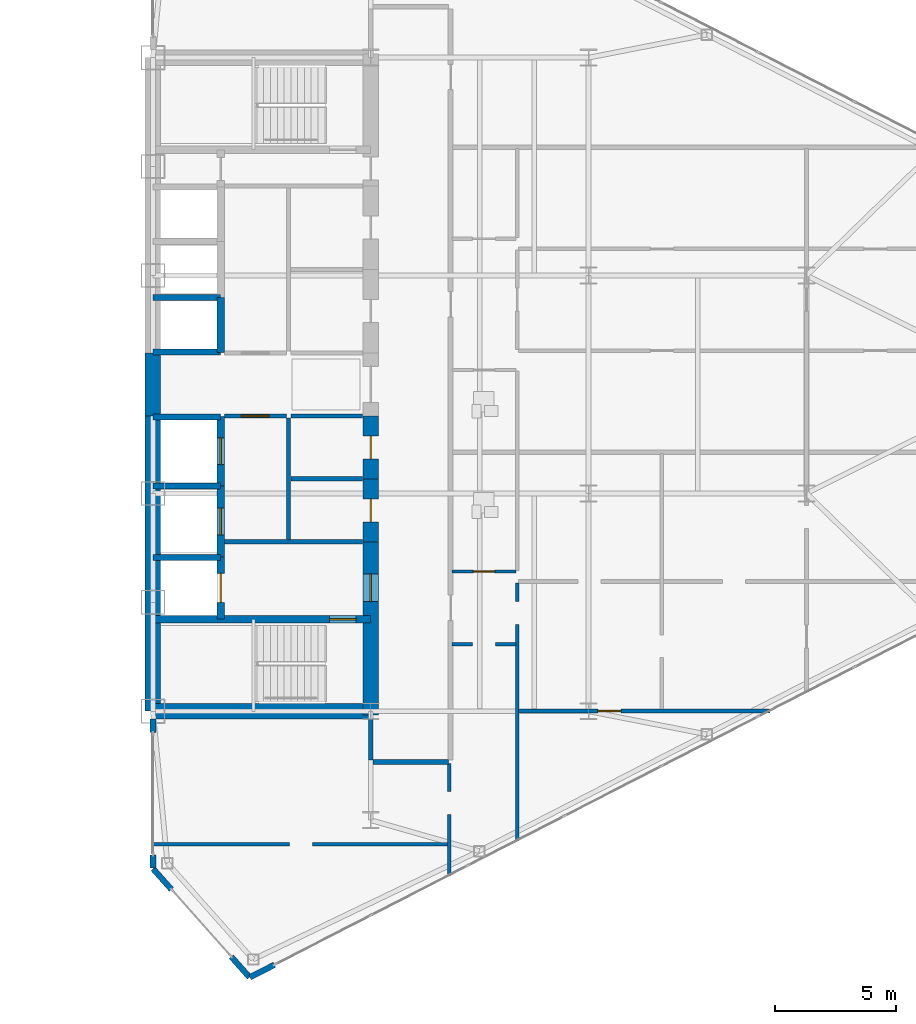
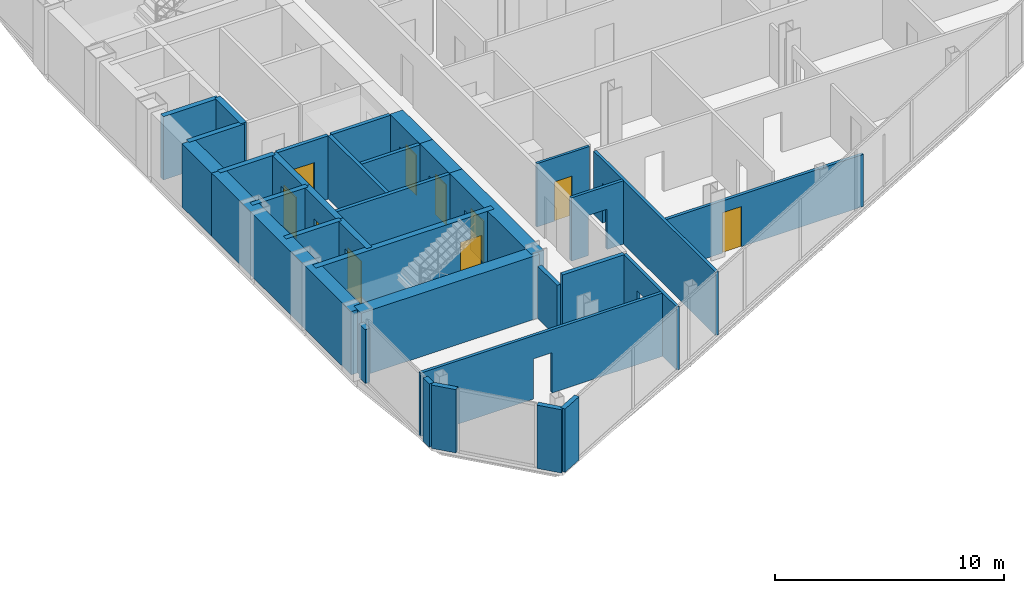
# One storey, part 19 of 24: 34 walls, 10 doors, 14 openings.
"""IFC4 building model written with IfcOpenShell, lengths in metres."""

from ifc_helpers import new_model, si_unit, direction, frame, frame_2d, origin, place, context, subcontext, project, spatial, rectangle, extrude, source, transform, mapped, material, layer, layer_set, type_object, type_shapes, element, fill, save


model = new_model("IFC4")

# Units and contexts
model_context = context("Model", 3, precision=1e-05, world=origin(), true_north=direction((0.0, 1.0)))
body_context = subcontext(model_context, "Body", "Model", "MODEL_VIEW")
ifc_project = project(units=[si_unit("LENGTHUNIT", "METRE"), si_unit("AREAUNIT", "SQUARE_METRE"), si_unit("VOLUMEUNIT", "CUBIC_METRE"), si_unit("PLANEANGLEUNIT", "RADIAN"), si_unit("MASSUNIT", "GRAM", prefix="KILO")], contexts=[model_context])

# Site, building, storey
site_placement = place(None, origin())
site = spatial("IfcSite", under=ifc_project, at=site_placement, CompositionType="ELEMENT")
building_placement = place(site_placement, origin())
building = spatial("IfcBuilding", under=site, at=building_placement, Name="Seokmaru Belvedere", CompositionType="ELEMENT")
storey_placement = place(building_placement, frame((0.0, 0.0, 117.60009765625)))
storey = spatial("IfcBuildingStorey", under=building, at=storey_placement, Name="L31", CompositionType="ELEMENT", Elevation=117.60009765625)

# Wall, opening
ifc_material_1 = material(Name="Fire-Rated Gypsum Shaftwall")
ifc_layer_1 = layer(ifc_material_1, 0.14990234375)
ifc_layer_set_1 = layer_set([ifc_layer_1], Name="Fire-Rated Gypsum Shaftwall")
wall_type_1 = type_object("IfcWallType", Name="Apartment Fire-Acoustic Room Partition 150", PredefinedType="PARTITIONING", material=ifc_layer_set_1)
wall_1_placement = place(storey_placement, frame((27.465087890625, -19.0, 0.0), z_axis=(0.0, 0.0, 1.0), x_axis=(1.0, 0.0, 0.0)))
wall_1 = element("IfcWall", 1, at=wall_1_placement, inside=storey, type_object=wall_type_1, Name="L31 Interior Partition 001", PredefinedType="PARTITIONING", context=body_context, shape_type="SweptSolid", body=[
    extrude(rectangle(XDim=12.23486328125, YDim=0.14990234375, at=frame_2d((6.117431640625, 0.0))), origin(), (0.0, 0.0, 1.0), 3.3798828125),
])
opening_1_placement = place(wall_1_placement, frame((5.68505859375, 0.0, 0.0)))
element("IfcOpeningElement", 2, at=opening_1_placement, cuts=wall_1, Name="L31 Cased Opening 041", PredefinedType="OPENING", context=body_context, shape_type="SweptSolid", body=[
    extrude(rectangle(XDim=0.949951171875, YDim=2.14990234375, at=frame_2d((0.47509765625, 1.074951171875))), frame((0.0, 0.0849609375, 0.0), z_axis=(0.0, -1.0, 0.0), x_axis=(1.0, 0.0, 0.0)), (0.0, 0.0, 1.0), 0.169921875),
])

# Wall, opening, door
wall_2_placement = place(storey_placement, frame((42.60009765625, -13.489990234375, 0.0), z_axis=(0.0, 0.0, 1.0), x_axis=(1.0, 0.0, 0.0)))
wall_2 = element("IfcWall", 3, at=wall_2_placement, inside=storey, type_object=wall_type_1, Name="L31 Interior Partition 004", PredefinedType="PARTITIONING", context=body_context, shape_type="SweptSolid", body=[
    extrude(rectangle(XDim=10.39697265625, YDim=0.14990234375, at=frame_2d((5.198486328125, 0.0))), origin(), (0.0, 0.0, 1.0), 2.77978515625),
])
opening_2_placement = place(wall_2_placement, frame((3.285400390625, 0.0, 0.0)))
opening_2 = element("IfcOpeningElement", 4, at=opening_2_placement, cuts=wall_2, Name="Opening D05", PredefinedType="OPENING", context=body_context, shape_type="SweptSolid", body=[
    extrude(rectangle(XDim=0.949951171875, YDim=2.14990234375, at=frame_2d((0.47509765625, 1.074951171875))), frame((0.0, 0.0849609375, 0.0), z_axis=(0.0, -1.0, 0.0), x_axis=(1.0, 0.0, 0.0)), (0.0, 0.0, 1.0), 0.169921875),
])
ifc_material_2 = material(Name="Engineered White Oak Timber", Category="wood")
door_type_1 = type_object("IfcDoorType", Name="Apartment Interior Fire-Rated Oak Door 950x2150", OperationType="NOTDEFINED", PredefinedType="DOOR", material=ifc_material_2)
shared_shape_1 = source(origin(), body_context, "Body", "SweptSolid", [
    extrude(rectangle(XDim=0.949951171875, YDim=2.14990234375, at=frame_2d((0.47509765625, 1.074951171875))), frame((0.0, 0.02490234375, 0.0), z_axis=(0.0, -1.0, 0.0), x_axis=(1.0, 0.0, 0.0)), (0.0, 0.0, 1.0), 0.050048828125),
])
type_shapes(door_type_1, [shared_shape_1])
door_1_placement = place(opening_2_placement, origin())
door_1 = element("IfcDoor", 5, at=door_1_placement, inside=storey, type_object=door_type_1, Name="L31 Interior Door 033", OperationType="SINGLE_SWING_RIGHT", OverallHeight=2.14990234375, OverallWidth=0.949951171875, PredefinedType="DOOR", context=body_context, shape_type="MappedRepresentation", body=[
    mapped(shared_shape_1, transform((0.0, 0.0, 0.0), scale=1.0)),
])
fill(opening_2, door_1)

# Wall, opening
wall_3_placement = place(storey_placement, frame((39.85009765625, -10.72998046875, 0.0), z_axis=(0.0, 0.0, 1.0), x_axis=(1.0, 0.0, 0.0)))
wall_3 = element("IfcWall", 6, at=wall_3_placement, inside=storey, type_object=wall_type_1, Name="L31 Interior Partition 005", PredefinedType="PARTITIONING", context=body_context, shape_type="SweptSolid", body=[
    extrude(rectangle(XDim=2.64990234375, YDim=0.14990234375, at=frame_2d((1.324951171875, 0.0))), origin(), (0.0, 0.0, 1.0), 3.3798828125),
])
opening_3_placement = place(wall_3_placement, frame((0.85009765625, 0.0, 0.0)))
element("IfcOpeningElement", 7, at=opening_3_placement, cuts=wall_3, Name="L31 Cased Opening 031", PredefinedType="OPENING", context=body_context, shape_type="SweptSolid", body=[
    extrude(rectangle(XDim=0.949951171875, YDim=2.14990234375, at=frame_2d((0.47509765625, 1.074951171875))), frame((0.0, 0.0849609375, 0.0), z_axis=(0.0, -1.0, 0.0), x_axis=(1.0, 0.0, 0.0)), (0.0, 0.0, 1.0), 0.169921875),
])

wall_4_placement = place(storey_placement, frame((39.75, -20.301025390625, 0.0), z_axis=(0.0, 0.0, 1.0), x_axis=(0.0, 1.0, 0.0)))
wall_4 = element("IfcWall", 8, at=wall_4_placement, inside=storey, type_object=wall_type_1, Name="L31 Interior Partition 039", PredefinedType="PARTITIONING", context=body_context, shape_type="SweptSolid", body=[
    extrude(rectangle(XDim=4.651123046875, YDim=0.14990234375, at=frame_2d((2.32568359375, 0.0))), origin(), (0.0, 0.0, 1.0), 3.3798828125),
])
opening_4_placement = place(wall_4_placement, frame((2.52587890625, 0.0, 0.0)))
element("IfcOpeningElement", 9, at=opening_4_placement, cuts=wall_4, Name="L31 Cased Opening 040", PredefinedType="OPENING", context=body_context, shape_type="SweptSolid", body=[
    extrude(rectangle(XDim=0.949951171875, YDim=2.14990234375, at=frame_2d((0.47509765625, 1.074951171875))), frame((0.0, 0.0849609375, 0.0), z_axis=(0.0, -1.0, 0.0), x_axis=(1.0, 0.0, 0.0)), (0.0, 0.0, 1.0), 0.169921875),
])

wall_5_placement = place(storey_placement, frame((42.550048828125, -18.864990234375, 0.0), z_axis=(0.0, 0.0, 1.0), x_axis=(0.0, 1.0, 0.0)))
wall_5 = element("IfcWall", 10, at=wall_5_placement, inside=storey, type_object=wall_type_1, Name="L31 Interior Partition 041", PredefinedType="PARTITIONING", context=body_context, shape_type="SweptSolid", body=[
    extrude(rectangle(XDim=10.671875, YDim=0.14990234375, at=frame_2d((5.3359375, 0.0))), origin(), (0.0, 0.0, 1.0), 3.3798828125),
])
opening_5_placement = place(wall_5_placement, frame((8.95458984375, 0.0, 0.0)))
element("IfcOpeningElement", 11, at=opening_5_placement, cuts=wall_5, Name="L31 Cased Opening 032", PredefinedType="OPENING", context=body_context, shape_type="SweptSolid", body=[
    extrude(rectangle(XDim=0.949951171875, YDim=2.14990234375, at=frame_2d((0.47509765625, 1.074951171875))), frame((0.0, 0.0849609375, 0.0), z_axis=(0.0, -1.0, 0.0), x_axis=(1.0, 0.0, 0.0)), (0.0, 0.0, 1.0), 0.169921875),
])

# Walls
ifc_layer_2 = layer(ifc_material_1, 0.179931640625)
ifc_layer_set_2 = layer_set([ifc_layer_2], Name="Fire-Rated Gypsum Shaftwall")
wall_type_2 = type_object("IfcWallType", Name="Core Service Fire Partition 180", PredefinedType="PARTITIONING", material=ifc_layer_set_2)
wall_6_placement = place(storey_placement, frame((30.449951171875, -6.5, 0.0), z_axis=(0.0, 0.0, 1.0), x_axis=(1.0, 0.0, 0.0)))
element("IfcWall", 12, at=wall_6_placement, inside=storey, type_object=wall_type_2, Name="L31 East Firefighting Lobby Partition", PredefinedType="PARTITIONING", context=body_context, shape_type="SweptSolid", body=[
    extrude(rectangle(XDim=5.699951171875, YDim=0.179931640625, at=frame_2d((2.85009765625, 0.0))), origin(), (0.0, 0.0, 1.0), 3.3798828125),
])
wall_7_placement = place(storey_placement, frame((33.10009765625, -6.419921875, 0.0), z_axis=(0.0, 0.0, 1.0), x_axis=(0.0, 1.0, 0.0)))
element("IfcWall", 13, at=wall_7_placement, inside=storey, type_object=wall_type_2, Name="L31 East South Core Service Back Wall", PredefinedType="PARTITIONING", context=body_context, shape_type="SweptSolid", body=[
    extrude(rectangle(XDim=5.0400390625, YDim=0.179931640625, at=frame_2d((2.52001953125, 0.0))), origin(), (0.0, 0.0, 1.0), 3.3798828125),
])

# Wall, opening, door
wall_8_placement = place(storey_placement, frame((30.449951171875, -1.300048828125, 0.0), z_axis=(0.0, 0.0, 1.0), x_axis=(1.0, 0.0, 0.0)))
wall_8 = element("IfcWall", 14, at=wall_8_placement, inside=storey, type_object=wall_type_2, Name="L31 East South Lift Lobby Foyer Wall", PredefinedType="PARTITIONING", context=body_context, shape_type="SweptSolid", body=[
    extrude(rectangle(XDim=2.570068359375, YDim=0.179931640625, at=frame_2d((1.28515625, 0.0))), origin(), (0.0, 0.0, 1.0), 3.3798828125),
])
opening_6_placement = place(wall_8_placement, frame((0.7099609375, 0.0, 0.0)))
opening_6 = element("IfcOpeningElement", 15, at=opening_6_placement, cuts=wall_8, Name="Opening D02", PredefinedType="OPENING", context=body_context, shape_type="SweptSolid", body=[
    extrude(rectangle(XDim=1.14990234375, YDim=2.199951171875, at=frame_2d((0.574951171875, 1.10009765625))), frame((0.0, 0.10009765625, 0.0), z_axis=(0.0, -1.0, 0.0), x_axis=(1.0, 0.0, 0.0)), (0.0, 0.0, 1.0), 0.199951171875),
])
ifc_material_3 = material(Name="Fire-Rated Steel Leaf", Category="steel")
door_type_2 = type_object("IfcDoorType", Name="Lobby and Vestibule Fire Door 1150x2200", OperationType="NOTDEFINED", PredefinedType="DOOR", material=ifc_material_3)
shared_shape_2 = source(origin(), body_context, "Body", "SweptSolid", [
    extrude(rectangle(XDim=1.14990234375, YDim=2.199951171875, at=frame_2d((0.574951171875, 1.10009765625))), frame((0.0, 0.02490234375, 0.0), z_axis=(0.0, -1.0, 0.0), x_axis=(1.0, 0.0, 0.0)), (0.0, 0.0, 1.0), 0.050048828125),
])
type_shapes(door_type_2, [shared_shape_2])
door_2_placement = place(opening_6_placement, origin())
door_2 = element("IfcDoor", 16, at=door_2_placement, inside=storey, type_object=door_type_2, Name="L31 East South Core Foyer Door", OperationType="SINGLE_SWING_RIGHT", OverallHeight=2.199951171875, OverallWidth=1.14990234375, PredefinedType="DOOR", context=body_context, shape_type="MappedRepresentation", body=[
    mapped(shared_shape_2, transform((0.0, 0.0, 0.0), scale=1.0)),
])
fill(opening_6, door_2)

# Walls
for number, where, z_axis, x_axis, name in (
    (17, (33.199951171875, -1.300048828125, 0.0), (0.0, 0.0, 1.0), (1.0, 0.0, 0.0), "L31 East Foyer Side Wall S"),
    (18, (33.199951171875, -3.89990234375, 0.0), (0.0, 0.0, 1.0), (1.0, 0.0, 0.0), "L31 East Core Service Partition 1"),
):
    element("IfcWall", number, at=place(storey_placement, frame(where, z_axis=z_axis, x_axis=x_axis)), inside=storey, type_object=wall_type_2, Name=name, PredefinedType="PARTITIONING", context=body_context, shape_type="SweptSolid", body=[
        extrude(rectangle(XDim=2.949951171875, YDim=0.179931640625, at=frame_2d((1.47509765625, 0.0))), origin(), (0.0, 0.0, 1.0), 3.3798828125),
    ])
ifc_material_4 = material(Name="Concrete C50 (50 MPa)", Category="concrete")
ifc_layer_3 = layer(ifc_material_4, 0.25)
ifc_layer_set_3 = layer_set([ifc_layer_3], Name="Concrete C50 (50 MPa)")
wall_type_3 = type_object("IfcWallType", Name="Hoistway Transverse Concrete Divider Wall 250", PredefinedType="SHEAR", material=ifc_layer_set_3)
for number, where, z_axis, x_axis, name in (
    (19, (27.5, -7.14990234375, 0.0), (0.0, 0.0, 1.0), (1.0, 0.0, 0.0), "L31 East Hoistway Divider Core Wall 1"),
    (20, (27.5, -4.199951171875, 0.0), (0.0, 0.0, 1.0), (1.0, 0.0, 0.0), "L31 East Hoistway Divider Core Wall 2"),
    (21, (27.5, -1.35009765625, 0.0), (0.0, 0.0, 1.0), (1.0, 0.0, 0.0), "L31 East Hoistway Divider Core Wall 3"),
    (22, (27.5, 1.35009765625, 0.0), (0.0, 0.0, 1.0), (1.0, 0.0, 0.0), "L31 East Hoistway Divider Core Wall 4"),
    (23, (27.5, 3.60009765625, 0.0), (0.0, 0.0, 1.0), (1.0, 0.0, 0.0), "L31 East Hoistway Divider Core Wall 5"),
):
    element("IfcWall", number, at=place(storey_placement, frame(where, z_axis=z_axis, x_axis=x_axis)), inside=storey, type_object=wall_type_3, Name=name, PredefinedType="SHEAR", context=body_context, shape_type="SweptSolid", body=[
        extrude(rectangle(XDim=2.800048828125, YDim=0.25, at=frame_2d((1.39990234375, 0.0))), origin(), (0.0, 0.0, 1.0), 3.3798828125),
    ])
ifc_layer_4 = layer(ifc_material_1, 0.199951171875)
ifc_layer_set_4 = layer_set([ifc_layer_4], Name="Fire-Rated Gypsum Shaftwall")
wall_type_4 = type_object("IfcWallType", Name="Inter-Tenancy Fire Compartment Partition 200", PredefinedType="PARTITIONING", material=ifc_layer_set_4)
wall_9_placement = place(storey_placement, frame((36.5849609375, -15.60009765625, 0.0), z_axis=(0.0, 0.0, 1.0), x_axis=(1.0, 0.0, 0.0)))
element("IfcWall", 24, at=wall_9_placement, inside=storey, type_object=wall_type_4, Name="L31 Interior Partition 003", PredefinedType="PARTITIONING", context=body_context, shape_type="SweptSolid", body=[
    extrude(rectangle(XDim=3.130126953125, YDim=0.199951171875, at=frame_2d((1.56494140625, 0.0))), origin(), (0.0, 0.0, 1.0), 3.3798828125),
])
wall_10_placement = place(storey_placement, frame((36.5, -15.514892578125, 0.0), z_axis=(0.0, 0.0, 1.0), x_axis=(0.0, 1.0, 0.0)))
element("IfcWall", 25, at=wall_10_placement, inside=storey, type_object=wall_type_4, Name="L31 Interior Partition 037", PredefinedType="PARTITIONING", context=body_context, shape_type="SweptSolid", body=[
    extrude(rectangle(XDim=1.684814453125, YDim=0.199951171875, at=frame_2d((0.84228515625, 0.0))), origin(), (0.0, 0.0, 1.0), 2.77978515625),
])

# Wall, opening, door
ifc_layer_5 = layer(ifc_material_4, 0.300048828125)
ifc_layer_set_5 = layer_set([ifc_layer_5], Name="Concrete C50 (50 MPa)")
wall_type_5 = type_object("IfcWallType", Name="Internal Core Stair and Hoistway Wall 300", PredefinedType="SHEAR", material=ifc_layer_set_5)
wall_11_placement = place(storey_placement, frame((27.5, -9.699951171875, 0.0), z_axis=(0.0, 0.0, 1.0), x_axis=(1.0, 0.0, 0.0)))
wall_11 = element("IfcWall", 26, at=wall_11_placement, inside=storey, type_object=wall_type_5, Name="L31 East Stair ST-1 Enclosure Wall", PredefinedType="SHEAR", context=body_context, shape_type="SweptSolid", body=[
    extrude(rectangle(XDim=9.0, YDim=0.300048828125, at=frame_2d((4.5, 0.0))), origin(), (0.0, 0.0, 1.0), 3.3798828125),
])
opening_7_placement = place(wall_11_placement, frame((7.300048828125, 0.0, 0.0)))
opening_7 = element("IfcOpeningElement", 27, at=opening_7_placement, cuts=wall_11, Name="Opening D01", PredefinedType="OPENING", context=body_context, shape_type="SweptSolid", body=[
    extrude(rectangle(XDim=1.10009765625, YDim=2.199951171875, at=frame_2d((0.550048828125, 1.10009765625))), frame((0.0, 0.16015625, 0.0), z_axis=(0.0, -1.0, 0.0), x_axis=(1.0, 0.0, 0.0)), (0.0, 0.0, 1.0), 0.320068359375),
])
door_type_3 = type_object("IfcDoorType", Name="Special Escape Stair Smokeproof Fire Door 1100x2200", OperationType="NOTDEFINED", PredefinedType="DOOR", material=ifc_material_3)
shared_shape_3 = source(origin(), body_context, "Body", "SweptSolid", [
    extrude(rectangle(XDim=1.10009765625, YDim=2.199951171875, at=frame_2d((0.550048828125, 1.10009765625))), frame((0.0, 0.02490234375, 0.0), z_axis=(0.0, -1.0, 0.0), x_axis=(1.0, 0.0, 0.0)), (0.0, 0.0, 1.0), 0.050048828125),
])
type_shapes(door_type_3, [shared_shape_3])
door_3_placement = place(opening_7_placement, frame((1.10009765625, 0.0, 0.0), z_axis=(0.0, 0.0, 1.0), x_axis=(-1.0, 0.0, 0.0)))
door_3 = element("IfcDoor", 28, at=door_3_placement, inside=storey, type_object=door_type_3, Name="L31 East Special Escape Stair ST-1 Door", OperationType="SINGLE_SWING_RIGHT", OverallHeight=2.199951171875, OverallWidth=1.10009765625, PredefinedType="DOOR", context=body_context, shape_type="MappedRepresentation", body=[
    mapped(shared_shape_3, transform((0.0, 0.0, 0.0), scale=1.0)),
])
fill(opening_7, door_3)

wall_12_placement = place(storey_placement, frame((30.300048828125, -9.679931640625, 0.0), z_axis=(0.0, 0.0, 1.0), x_axis=(0.0, 1.0, 0.0)))
wall_12 = element("IfcWall", 29, at=wall_12_placement, inside=storey, type_object=wall_type_5, Name="L31 East Firefighting Lift Shaft Front Wall", PredefinedType="SHEAR", context=body_context, shape_type="SweptSolid", body=[
    extrude(rectangle(XDim=2.559814453125, YDim=0.300048828125, at=frame_2d((1.27978515625, 0.0))), origin(), (0.0, 0.0, 1.0), 3.3798828125),
])
opening_8_placement = place(wall_12_placement, frame((0.679931640625, 0.0, 0.0)))
opening_8 = element("IfcOpeningElement", 30, at=opening_8_placement, cuts=wall_12, Name="Opening LD2", PredefinedType="OPENING", context=body_context, shape_type="SweptSolid", body=[
    extrude(rectangle(XDim=1.199951171875, YDim=2.25, at=frame_2d((0.60009765625, 1.125))), frame((0.0, 0.16015625, 0.0), z_axis=(0.0, -1.0, 0.0), x_axis=(1.0, 0.0, 0.0)), (0.0, 0.0, 1.0), 0.320068359375),
])
ifc_material_5 = material(Name="Stainless Steel 316", Category="steel")
door_type_4 = type_object("IfcDoorType", Name="Firefighting Lift Sliding Landing Door 1200x2250", OperationType="DOUBLE_DOOR_SLIDING", PredefinedType="DOOR", material=ifc_material_5)
shared_shape_4 = source(origin(), body_context, "Body", "SweptSolid", [
    extrude(rectangle(XDim=1.199951171875, YDim=2.25, at=frame_2d((0.60009765625, 1.125))), frame((0.0, 0.02490234375, 0.0), z_axis=(0.0, -1.0, 0.0), x_axis=(1.0, 0.0, 0.0)), (0.0, 0.0, 1.0), 0.050048828125),
])
type_shapes(door_type_4, [shared_shape_4])
door_4_placement = place(opening_8_placement, origin())
door_4 = element("IfcDoor", 31, at=door_4_placement, inside=storey, type_object=door_type_4, Name="L31 East Firefighting Lift Landing Door", OperationType="DOUBLE_DOOR_SLIDING", OverallHeight=2.25, OverallWidth=1.199951171875, PredefinedType="DOOR", context=body_context, shape_type="MappedRepresentation", body=[
    mapped(shared_shape_4, transform((0.0, 0.0, 0.0), scale=1.0)),
])
fill(opening_8, door_4)

wall_13_placement = place(storey_placement, frame((30.300048828125, -7.1201171875, 0.0), z_axis=(0.0, 0.0, 1.0), x_axis=(0.0, 1.0, 0.0)))
wall_13 = element("IfcWall", 32, at=wall_13_placement, inside=storey, type_object=wall_type_5, Name="L31 East Low-Rise Lift PL-1 Front Wall", PredefinedType="SHEAR", context=body_context, shape_type="SweptSolid", body=[
    extrude(rectangle(XDim=2.920166015625, YDim=0.300048828125, at=frame_2d((1.4599609375, 0.0))), origin(), (0.0, 0.0, 1.0), 3.3798828125),
])
opening_9_placement = place(wall_13_placement, frame((0.909912109375, 0.0, 0.0)))
opening_9 = element("IfcOpeningElement", 33, at=opening_9_placement, cuts=wall_13, Name="Opening LD1", PredefinedType="OPENING", context=body_context, shape_type="SweptSolid", body=[
    extrude(rectangle(XDim=1.10009765625, YDim=2.199951171875, at=frame_2d((0.550048828125, 1.10009765625))), frame((0.0, 0.16015625, 0.0), z_axis=(0.0, -1.0, 0.0), x_axis=(1.0, 0.0, 0.0)), (0.0, 0.0, 1.0), 0.320068359375),
])
door_type_5 = type_object("IfcDoorType", Name="Passenger Lift Sliding Landing Door 1100x2200", OperationType="DOUBLE_DOOR_SLIDING", PredefinedType="DOOR", material=ifc_material_5)
shared_shape_5 = source(origin(), body_context, "Body", "SweptSolid", [
    extrude(rectangle(XDim=1.10009765625, YDim=2.199951171875, at=frame_2d((0.550048828125, 1.10009765625))), frame((0.0, 0.02490234375, 0.0), z_axis=(0.0, -1.0, 0.0), x_axis=(1.0, 0.0, 0.0)), (0.0, 0.0, 1.0), 0.050048828125),
])
type_shapes(door_type_5, [shared_shape_5])
door_5_placement = place(opening_9_placement, origin())
door_5 = element("IfcDoor", 34, at=door_5_placement, inside=storey, type_object=door_type_5, Name="L31 East Low-Rise Lift PL-1 Landing Door", OperationType="DOUBLE_DOOR_SLIDING", OverallHeight=2.199951171875, OverallWidth=1.10009765625, PredefinedType="DOOR", context=body_context, shape_type="MappedRepresentation", body=[
    mapped(shared_shape_5, transform((0.0, 0.0, 0.0), scale=1.0)),
])
fill(opening_9, door_5)

wall_14_placement = place(storey_placement, frame((30.300048828125, -4.199951171875, 0.0), z_axis=(0.0, 0.0, 1.0), x_axis=(0.0, 1.0, 0.0)))
wall_14 = element("IfcWall", 35, at=wall_14_placement, inside=storey, type_object=wall_type_5, Name="L31 East Low-Rise Lift PL-2 Front Wall", PredefinedType="SHEAR", context=body_context, shape_type="SweptSolid", body=[
    extrude(rectangle(XDim=2.8798828125, YDim=0.300048828125, at=frame_2d((1.43994140625, 0.0))), origin(), (0.0, 0.0, 1.0), 3.3798828125),
])
opening_10_placement = place(wall_14_placement, frame((0.889892578125, 0.0, 0.0)))
opening_10 = element("IfcOpeningElement", 36, at=opening_10_placement, cuts=wall_14, Name="Opening LD1", PredefinedType="OPENING", context=body_context, shape_type="SweptSolid", body=[
    extrude(rectangle(XDim=1.10009765625, YDim=2.199951171875, at=frame_2d((0.550048828125, 1.10009765625))), frame((0.0, 0.16015625, 0.0), z_axis=(0.0, -1.0, 0.0), x_axis=(1.0, 0.0, 0.0)), (0.0, 0.0, 1.0), 0.320068359375),
])
door_6_placement = place(opening_10_placement, origin())
door_6 = element("IfcDoor", 37, at=door_6_placement, inside=storey, type_object=door_type_5, Name="L31 East Low-Rise Lift PL-2 Landing Door", OperationType="DOUBLE_DOOR_SLIDING", OverallHeight=2.199951171875, OverallWidth=1.10009765625, PredefinedType="DOOR", context=body_context, shape_type="MappedRepresentation", body=[
    mapped(shared_shape_5, transform((0.0, 0.0, 0.0), scale=1.0)),
])
fill(opening_10, door_6)

# Walls
wall_15_placement = place(storey_placement, frame((30.300048828125, 1.320068359375, 0.0), z_axis=(0.0, 0.0, 1.0), x_axis=(0.0, 1.0, 0.0)))
element("IfcWall", 38, at=wall_15_placement, inside=storey, type_object=wall_type_5, Name="L31 East North Hoistway Wall PH1", PredefinedType="SHEAR", context=body_context, shape_type="SweptSolid", body=[
    extrude(rectangle(XDim=2.280029296875, YDim=0.300048828125, at=frame_2d((1.14013671875, 0.0))), origin(), (0.0, 0.0, 1.0), 3.3798828125),
])
ifc_material_6 = material(Name="Concrete C60 (60 MPa)", Category="concrete")
ifc_layer_6 = layer(ifc_material_6, 0.64990234375)
ifc_layer_set_6 = layer_set([ifc_layer_6], Name="Concrete C60 (60 MPa)")
wall_type_6 = type_object("IfcWallType", Name="Mid-Low Reinforced Concrete Core Wall 650", PredefinedType="SHEAR", material=ifc_layer_set_6)
wall_16_placement = place(storey_placement, frame((27.5, -13.5, 0.0), z_axis=(0.0, 0.0, 1.0), x_axis=(0.0, 1.0, 0.0)))
element("IfcWall", 39, at=wall_16_placement, inside=storey, type_object=wall_type_6, Name="L31 East Portal Spine Core Wall South", PredefinedType="SHEAR", context=body_context, shape_type="SweptSolid", body=[
    extrude(rectangle(XDim=12.199951171875, YDim=0.64990234375, at=frame_2d((6.10009765625, 0.0))), origin(), (0.0, 0.0, 1.0), 3.3798828125),
])
wall_17_placement = place(storey_placement, frame((27.5, -1.300048828125, 0.0), z_axis=(0.0, 0.0, 1.0), x_axis=(0.0, 1.0, 0.0)))
element("IfcWall", 40, at=wall_17_placement, inside=storey, type_object=wall_type_6, Name="L31 East Portal Spine Core Wall Center", PredefinedType="SHEAR", context=body_context, shape_type="SweptSolid", body=[
    extrude(rectangle(XDim=2.60009765625, YDim=0.64990234375, at=frame_2d((1.300048828125, 0.0))), origin(), (0.0, 0.0, 1.0), 3.3798828125),
])
wall_18_placement = place(storey_placement, frame((27.5, -13.5, 0.0), z_axis=(0.0, 0.0, 1.0), x_axis=(1.0, 0.0, 0.0)))
element("IfcWall", 41, at=wall_18_placement, inside=storey, type_object=wall_type_6, Name="L31 East South Core Wall", PredefinedType="SHEAR", context=body_context, shape_type="SweptSolid", body=[
    extrude(rectangle(XDim=9.0, YDim=0.64990234375, at=frame_2d((4.5, 0.0))), origin(), (0.0, 0.0, 1.0), 3.3798828125),
])

# Wall, opening, door
wall_19_placement = place(storey_placement, frame((36.5, -13.64990234375, 0.0), z_axis=(0.0, 0.0, 1.0), x_axis=(0.0, 1.0, 0.0)))
wall_19 = element("IfcWall", 42, at=wall_19_placement, inside=storey, type_object=wall_type_6, Name="L31 East West Core Wall FF", PredefinedType="SHEAR", context=body_context, shape_type="SweptSolid", body=[
    extrude(rectangle(XDim=7.14990234375, YDim=0.64990234375, at=frame_2d((3.574951171875, 0.0))), origin(), (0.0, 0.0, 1.0), 3.3798828125),
])
opening_11_placement = place(wall_19_placement, frame((4.675048828125, 0.0, 0.0)))
opening_11 = element("IfcOpeningElement", 43, at=opening_11_placement, cuts=wall_19, Name="Opening D02", PredefinedType="OPENING", context=body_context, shape_type="SweptSolid", body=[
    extrude(rectangle(XDim=1.14990234375, YDim=2.199951171875, at=frame_2d((0.574951171875, 1.10009765625))), frame((0.0, 0.3349609375, 0.0), z_axis=(0.0, -1.0, 0.0), x_axis=(1.0, 0.0, 0.0)), (0.0, 0.0, 1.0), 0.669921875),
])
door_7_placement = place(opening_11_placement, origin())
door_7 = element("IfcDoor", 44, at=door_7_placement, inside=storey, type_object=door_type_2, Name="L31 East Firefighting Lobby Door", OperationType="SINGLE_SWING_RIGHT", OverallHeight=2.199951171875, OverallWidth=1.14990234375, PredefinedType="DOOR", context=body_context, shape_type="MappedRepresentation", body=[
    mapped(shared_shape_2, transform((0.0, 0.0, 0.0), scale=1.0)),
])
fill(opening_11, door_7)

wall_20_placement = place(storey_placement, frame((36.5, -6.5, 0.0), z_axis=(0.0, 0.0, 1.0), x_axis=(0.0, 1.0, 0.0)))
wall_20 = element("IfcWall", 45, at=wall_20_placement, inside=storey, type_object=wall_type_6, Name="L31 East West Core Wall CS1", PredefinedType="SHEAR", context=body_context, shape_type="SweptSolid", body=[
    extrude(rectangle(XDim=2.60009765625, YDim=0.64990234375, at=frame_2d((1.300048828125, 0.0))), origin(), (0.0, 0.0, 1.0), 3.3798828125),
])
opening_12_placement = place(wall_20_placement, frame((0.824951171875, 0.0, 0.0)))
opening_12 = element("IfcOpeningElement", 46, at=opening_12_placement, cuts=wall_20, Name="Opening D04", PredefinedType="OPENING", context=body_context, shape_type="SweptSolid", body=[
    extrude(rectangle(XDim=0.949951171875, YDim=2.14990234375, at=frame_2d((0.47509765625, 1.074951171875))), frame((0.0, 0.3349609375, 0.0), z_axis=(0.0, -1.0, 0.0), x_axis=(1.0, 0.0, 0.0)), (0.0, 0.0, 1.0), 0.669921875),
])
door_type_6 = type_object("IfcDoorType", Name="Core Service Room Fire Door 950x2150", OperationType="NOTDEFINED", PredefinedType="DOOR", material=ifc_material_3)
shared_shape_6 = source(origin(), body_context, "Body", "SweptSolid", [
    extrude(rectangle(XDim=0.949951171875, YDim=2.14990234375, at=frame_2d((0.47509765625, 1.074951171875))), frame((0.0, 0.02490234375, 0.0), z_axis=(0.0, -1.0, 0.0), x_axis=(1.0, 0.0, 0.0)), (0.0, 0.0, 1.0), 0.050048828125),
])
type_shapes(door_type_6, [shared_shape_6])
door_8_placement = place(opening_12_placement, origin())
door_8 = element("IfcDoor", 47, at=door_8_placement, inside=storey, type_object=door_type_6, Name="L31 East Core Service Room Door 1", OperationType="SINGLE_SWING_RIGHT", OverallHeight=2.14990234375, OverallWidth=0.949951171875, PredefinedType="DOOR", context=body_context, shape_type="MappedRepresentation", body=[
    mapped(shared_shape_6, transform((0.0, 0.0, 0.0), scale=1.0)),
])
fill(opening_12, door_8)

wall_21_placement = place(storey_placement, frame((36.5, -3.89990234375, 0.0), z_axis=(0.0, 0.0, 1.0), x_axis=(0.0, 1.0, 0.0)))
wall_21 = element("IfcWall", 48, at=wall_21_placement, inside=storey, type_object=wall_type_6, Name="L31 East West Core Wall CS2", PredefinedType="SHEAR", context=body_context, shape_type="SweptSolid", body=[
    extrude(rectangle(XDim=2.599853515625, YDim=0.64990234375, at=frame_2d((1.2998046875, 0.0))), origin(), (0.0, 0.0, 1.0), 3.3798828125),
])
opening_13_placement = place(wall_21_placement, frame((0.824951171875, 0.0, 0.0)))
opening_13 = element("IfcOpeningElement", 49, at=opening_13_placement, cuts=wall_21, Name="Opening D04", PredefinedType="OPENING", context=body_context, shape_type="SweptSolid", body=[
    extrude(rectangle(XDim=0.949951171875, YDim=2.14990234375, at=frame_2d((0.47509765625, 1.074951171875))), frame((0.0, 0.3349609375, 0.0), z_axis=(0.0, -1.0, 0.0), x_axis=(1.0, 0.0, 0.0)), (0.0, 0.0, 1.0), 0.669921875),
])
door_9_placement = place(opening_13_placement, origin())
door_9 = element("IfcDoor", 50, at=door_9_placement, inside=storey, type_object=door_type_6, Name="L31 East Core Service Room Door 2", OperationType="SINGLE_SWING_LEFT", OverallHeight=2.14990234375, OverallWidth=0.949951171875, PredefinedType="DOOR", context=body_context, shape_type="MappedRepresentation", body=[
    mapped(shared_shape_6, transform((0.0, 0.0, 0.0), scale=1.0)),
])
fill(opening_13, door_9)

ifc_layer_7 = layer(ifc_material_1, 0.1298828125)
ifc_layer_set_7 = layer_set([ifc_layer_7], Name="Fire-Rated Gypsum Shaftwall")
wall_type_7 = type_object("IfcWallType", Name="Moisture-Resistant Fire-Rated Bathroom Partition 130", PredefinedType="PARTITIONING", material=ifc_layer_set_7)
wall_22_placement = place(storey_placement, frame((39.85009765625, -7.72998046875, 0.0), z_axis=(0.0, 0.0, 1.0), x_axis=(1.0, 0.0, 0.0)))
wall_22 = element("IfcWall", 51, at=wall_22_placement, inside=storey, type_object=wall_type_7, Name="L31 Interior Partition 008", PredefinedType="PARTITIONING", context=body_context, shape_type="SweptSolid", body=[
    extrude(rectangle(XDim=2.64990234375, YDim=0.1298828125, at=frame_2d((1.324951171875, 0.0))), origin(), (0.0, 0.0, 1.0), 3.3798828125),
])
opening_14_placement = place(wall_22_placement, frame((0.885009765625, 0.0, 0.0)))
opening_14 = element("IfcOpeningElement", 52, at=opening_14_placement, cuts=wall_22, Name="Opening D06", PredefinedType="OPENING", context=body_context, shape_type="SweptSolid", body=[
    extrude(rectangle(XDim=0.8798828125, YDim=2.10009765625, at=frame_2d((0.43994140625, 1.050048828125))), frame((0.0, 0.074951171875, 0.0), z_axis=(0.0, -1.0, 0.0), x_axis=(1.0, 0.0, 0.0)), (0.0, 0.0, 1.0), 0.14990234375),
])
door_type_7 = type_object("IfcDoorType", Name="Bathroom and Restroom Fire-Rated Door 880x2100", OperationType="NOTDEFINED", PredefinedType="DOOR", material=ifc_material_2)
shared_shape_7 = source(origin(), body_context, "Body", "SweptSolid", [
    extrude(rectangle(XDim=0.8798828125, YDim=2.10009765625, at=frame_2d((0.43994140625, 1.050048828125))), frame((0.0, 0.02490234375, 0.0), z_axis=(0.0, -1.0, 0.0), x_axis=(1.0, 0.0, 0.0)), (0.0, 0.0, 1.0), 0.050048828125),
])
type_shapes(door_type_7, [shared_shape_7])
door_10_placement = place(opening_14_placement, origin())
door_10 = element("IfcDoor", 53, at=door_10_placement, inside=storey, type_object=door_type_7, Name="L31 Interior Door 030", OperationType="SINGLE_SWING_RIGHT", OverallHeight=2.10009765625, OverallWidth=0.8798828125, PredefinedType="DOOR", context=body_context, shape_type="MappedRepresentation", body=[
    mapped(shared_shape_7, transform((0.0, 0.0, 0.0), scale=1.0)),
])
fill(opening_14, door_10)

# Walls
ifc_material_7 = material(Name="Anodised Bronze Aluminium", Category="aluminium")
ifc_layer_8 = layer(ifc_material_7, 0.239990234375)
ifc_layer_set_8 = layer_set([ifc_layer_8], Name="Anodised Bronze Aluminium")
wall_type_8 = type_object("IfcWallType", Name="Tower Corner Spandrel Closure Wall 240", PredefinedType="SOLIDWALL", material=ifc_layer_set_8)
wall_23_placement = place(storey_placement, frame((31.5087890625, -24.495361328125, 0.0), z_axis=(0.0, 0.0, 1.0), x_axis=(0.889797395748, 0.456355776255, 0.0)))
element("IfcWall", 54, at=wall_23_placement, inside=storey, type_object=wall_type_8, Name="L31 E Corner Closure Pier 1A", PredefinedType="SOLIDWALL", context=body_context, shape_type="SweptSolid", body=[
    extrude(rectangle(XDim=1.14013671875, YDim=0.239990234375, at=frame_2d((0.570068359375, 0.0))), origin(), (0.0, 0.0, 1.0), 3.3798828125),
])
wall_24_placement = place(storey_placement, frame((27.5, -19.97998046875, 0.0), z_axis=(0.0, 0.0, 1.0), x_axis=(0.0, 1.0, 0.0)))
element("IfcWall", 55, at=wall_24_placement, inside=storey, type_object=wall_type_8, Name="L31 E Spine Closure Pier 1A", PredefinedType="SOLIDWALL", context=body_context, shape_type="SweptSolid", body=[
    extrude(rectangle(XDim=0.550048828125, YDim=0.239990234375, at=frame_2d((0.27490234375, 0.0))), origin(), (0.0, 0.0, 1.0), 3.3798828125),
])
wall_25_placement = place(storey_placement, frame((27.5, -14.3798828125, 0.0), z_axis=(0.0, 0.0, 1.0), x_axis=(0.0, 1.0, 0.0)))
element("IfcWall", 56, at=wall_25_placement, inside=storey, type_object=wall_type_8, Name="L31 E Spine Closure Pier 1B", PredefinedType="SOLIDWALL", context=body_context, shape_type="SweptSolid", body=[
    extrude(rectangle(XDim=0.5498046875, YDim=0.239990234375, at=frame_2d((0.27490234375, 0.0))), origin(), (0.0, 0.0, 1.0), 2.8798828125),
])
for number, where, z_axis, x_axis, name in (
    (57, (27.506591796875, -20.007568359375, 0.0), (0.0, 0.0, 1.0), (0.664337252513, -0.747432950119, 0.0), "L31 E Corner Closure Pier 6A"),
    (58, (30.736083984375, -23.640380859375, 0.0), (0.0, 0.0, 1.0), (0.664337252513, -0.747432950119, 0.0), "L31 E Corner Closure Pier 6B"),
):
    element("IfcWall", number, at=place(storey_placement, frame(where, z_axis=z_axis, x_axis=x_axis)), inside=storey, type_object=wall_type_8, Name=name, PredefinedType="SOLIDWALL", context=body_context, shape_type="SweptSolid", body=[
        extrude(rectangle(XDim=1.139892578125, YDim=0.239990234375, at=frame_2d((0.56982421875, 0.0))), origin(), (0.0, 0.0, 1.0), 3.3798828125),
    ])

save(model, "model.ifc")
